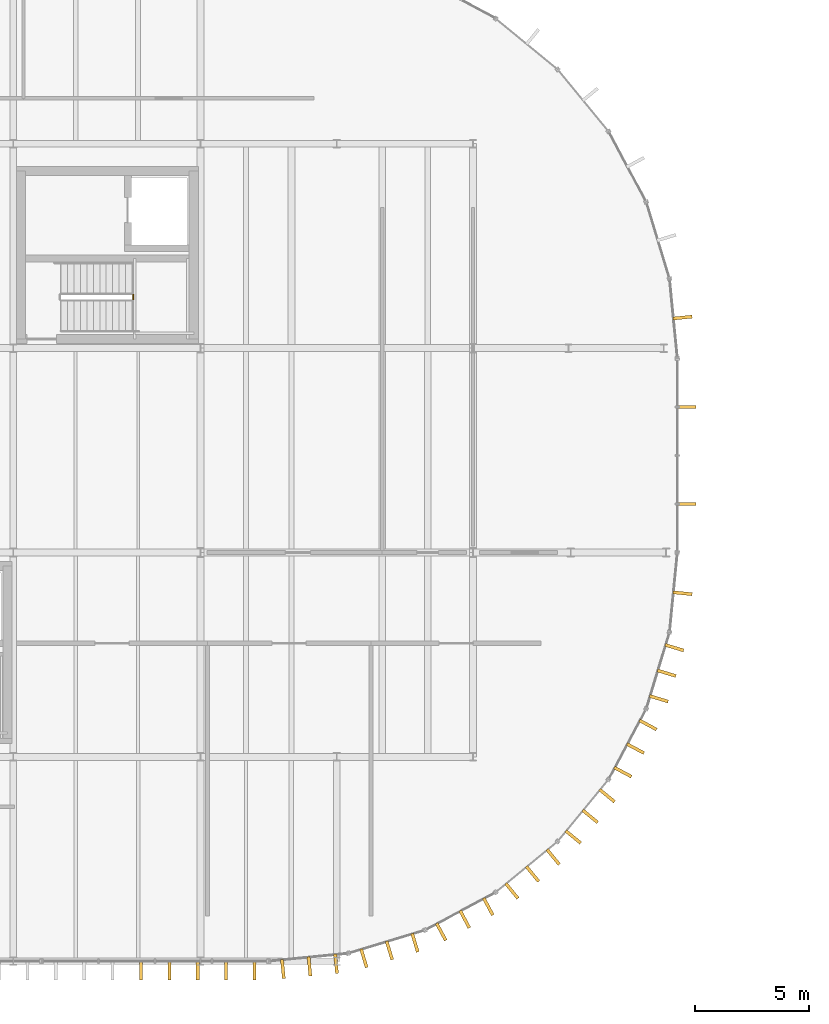
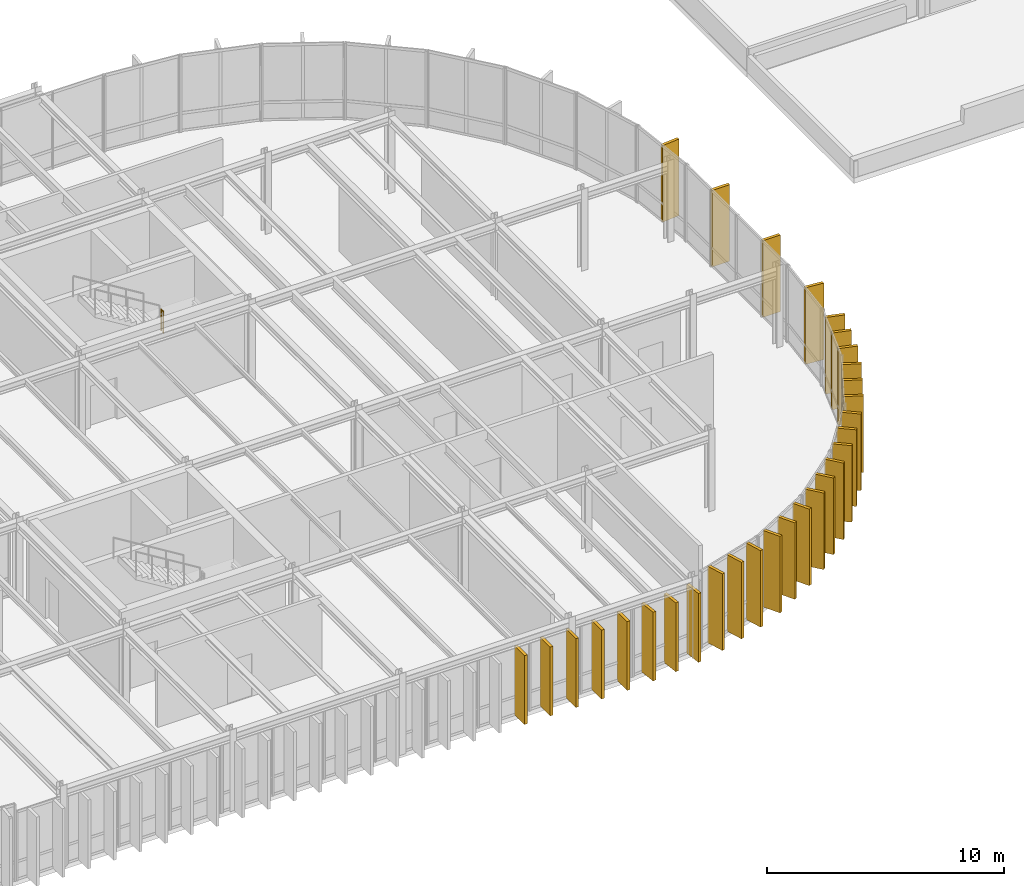
# One storey, part 28 of 31: 30 coverings, 1 railing.
"""IFC4 building model written with IfcOpenShell, lengths in metres."""

from ifc_helpers import new_model, si_unit, direction, frame, origin, origin_2d, place, context, subcontext, project, spatial, rectangle, circle, extrude, material, layer, layer_set, type_object, element, save


model = new_model("IFC4")

# Units and contexts
model_context = context("Model", 3, precision=1e-05, world=origin(), true_north=direction((0.0, 1.0)))
body_context = subcontext(model_context, "Body", "Model", "MODEL_VIEW")
ifc_project = project(units=[si_unit("LENGTHUNIT", "METRE"), si_unit("AREAUNIT", "SQUARE_METRE"), si_unit("VOLUMEUNIT", "CUBIC_METRE"), si_unit("PLANEANGLEUNIT", "RADIAN"), si_unit("MASSUNIT", "GRAM", prefix="KILO")], contexts=[model_context])

# Site, building, storey
site_placement = place(None, origin())
site = spatial("IfcSite", under=ifc_project, at=site_placement, CompositionType="ELEMENT")
building_placement = place(site_placement, origin())
building = spatial("IfcBuilding", under=site, at=building_placement, Name="Montealbar Specialist Clinic", CompositionType="ELEMENT")
storey_placement = place(building_placement, frame((0.0, 0.0, 13.800048828125)))
storey = spatial("IfcBuildingStorey", under=building, at=storey_placement, Name="L03", CompositionType="ELEMENT", Elevation=13.800048828125)

# Coverings
ifc_material_1 = material(Name="Thermally modified timber cladding", Category="wood")
ifc_layer_1 = layer(ifc_material_1, 0.139892578125, Name="Thermally modified timber cladding", Category="wood")
ifc_layer_set_1 = layer_set([ifc_layer_1], Name="Thermally modified timber cladding")
covering_type = type_object("IfcCoveringType", Name="COV-FIN-TIMBER-850", PredefinedType="CLADDING", material=ifc_layer_set_1)
for number, where, z_axis, x_axis, name in (
    (1, (120.22509765625, 28.344970703125, 0.0), (0.0, 0.0, 1.0), (0.995182012183, 0.098044697094, 0.0), "Vertical Timber Solar Fin CF-L03-0195"),
    (2, (120.39990234375, 24.4130859375, 0.0), (0.0, 0.0, 1.0), (1.0, 0.0, 0.0), "Vertical Timber Solar Fin CF-L03-0196"),
    (3, (120.39990234375, 20.136962890625, 0.0), (0.0, 0.0, 1.0), (1.0, 0.0, 0.0), "Vertical Timber Solar Fin CF-L03-0197"),
    (4, (120.22509765625, 16.205078125, 0.0), (0.0, 0.0, 1.0), (0.995182012183, -0.098044697094, 0.0), "Vertical Timber Solar Fin CF-L03-0198"),
    (5, (119.865966796875, 13.80908203125, 0.0), (0.0, 0.0, 1.0), (0.956948083701, -0.290259134399, 0.0), "Vertical Timber Solar Fin CF-L03-0199"),
    (6, (119.52490234375, 12.68408203125, 0.0), (0.0, 0.0, 1.0), (0.956948083701, -0.290259134399, 0.0), "Vertical Timber Solar Fin CF-L03-0200"),
    (7, (119.18310546875, 11.55908203125, 0.0), (0.0, 0.0, 1.0), (0.956948083701, -0.290259134399, 0.0), "Vertical Timber Solar Fin CF-L03-0201"),
    (8, (118.705078125, 10.405029296875, 0.0), (0.0, 0.0, 1.0), (0.881850411644, -0.471529268958, 0.0), "Vertical Timber Solar Fin CF-L03-0202"),
    (9, (118.15087890625, 9.366943359375, 0.0), (0.0, 0.0, 1.0), (0.881850411644, -0.471529268958, 0.0), "Vertical Timber Solar Fin CF-L03-0203"),
    (10, (117.595947265625, 8.330078125, 0.0), (0.0, 0.0, 1.0), (0.881850411644, -0.471529268958, 0.0), "Vertical Timber Solar Fin CF-L03-0204"),
    (11, (116.902099609375, 7.2919921875, 0.0), (0.0, 0.0, 1.0), (0.773123255923, -0.634255808922, 0.0), "Vertical Timber Solar Fin CF-L03-0205"),
    (12, (116.156005859375, 6.382080078125, 0.0), (0.0, 0.0, 1.0), (0.773123255923, -0.634255808922, 0.0), "Vertical Timber Solar Fin CF-L03-0206"),
    (13, (115.409912109375, 5.472900390625, 0.0), (0.0, 0.0, 1.0), (0.773123255923, -0.634255808922, 0.0), "Vertical Timber Solar Fin CF-L03-0207"),
    (14, (114.527099609375, 4.590087890625, 0.0), (0.0, 0.0, 1.0), (0.634255808922, -0.773123255923, 0.0), "Vertical Timber Solar Fin CF-L03-0208"),
    (15, (113.617919921875, 3.843994140625, 0.0), (0.0, 0.0, 1.0), (0.634255808922, -0.773123255923, 0.0), "Vertical Timber Solar Fin CF-L03-0209"),
    (16, (112.7080078125, 3.097900390625, 0.0), (0.0, 0.0, 1.0), (0.634255808922, -0.773123255923, 0.0), "Vertical Timber Solar Fin CF-L03-0210"),
    (17, (111.669921875, 2.404052734375, 0.0), (0.0, 0.0, 1.0), (0.471529268958, -0.881850411644, 0.0), "Vertical Timber Solar Fin CF-L03-0211"),
    (18, (110.633056640625, 1.84912109375, 0.0), (0.0, 0.0, 1.0), (0.471529268958, -0.881850411644, 0.0), "Vertical Timber Solar Fin CF-L03-0212"),
    (19, (109.594970703125, 1.294921875, 0.0), (0.0, 0.0, 1.0), (0.471529268958, -0.881850411644, 0.0), "Vertical Timber Solar Fin CF-L03-0213"),
    (20, (108.44091796875, 0.81689453125, 0.0), (0.0, 0.0, 1.0), (0.290259134399, -0.956948083701, 0.0), "Vertical Timber Solar Fin CF-L03-0214"),
    (21, (107.31591796875, 0.47509765625, 0.0), (0.0, 0.0, 1.0), (0.290259134399, -0.956948083701, 0.0), "Vertical Timber Solar Fin CF-L03-0215"),
    (22, (106.19091796875, 0.134033203125, 0.0), (0.0, 0.0, 1.0), (0.290259134399, -0.956948083701, 0.0), "Vertical Timber Solar Fin CF-L03-0216"),
):
    element("IfcCovering", number, at=place(storey_placement, frame(where, z_axis=z_axis, x_axis=x_axis)), inside=storey, type_object=covering_type, Name=name, PredefinedType="CLADDING", context=body_context, shape_type="SweptSolid", body=[
        extrude(rectangle(XDim=0.85009765625, YDim=0.139892578125, at=origin_2d()), origin(), (0.0, 0.0, 1.0), 3.93994140625),
    ])
for number, where, z_axis, x_axis, name in (
    (23, (104.966064453125, -0.110107421875, 0.0), (0.0, 0.0, 1.0), (0.098044697094, -0.995182012183, 0.0), "Vertical Timber Solar Fin CF-L03-0217"),
    (24, (103.794921875, -0.22509765625, 0.0), (0.0, 0.0, 1.0), (0.098044697094, -0.995182012183, 0.0), "Vertical Timber Solar Fin CF-L03-0218"),
    (25, (102.625, -0.340087890625, 0.0), (0.0, 0.0, 1.0), (0.098044697094, -0.995182012183, 0.0), "Vertical Timber Solar Fin CF-L03-0219"),
    (26, (101.375, -0.39990234375, 0.0), (0.0, 0.0, 1.0), (0.0, -1.0, 0.0), "Vertical Timber Solar Fin CF-L03-0220"),
    (27, (100.125, -0.39990234375, 0.0), (0.0, 0.0, 1.0), (0.0, -1.0, 0.0), "Vertical Timber Solar Fin CF-L03-0221"),
    (28, (98.875, -0.39990234375, 0.0), (0.0, 0.0, 1.0), (0.0, -1.0, 0.0), "Vertical Timber Solar Fin CF-L03-0222"),
    (29, (97.625, -0.39990234375, 0.0), (0.0, 0.0, 1.0), (0.0, -1.0, 0.0), "Vertical Timber Solar Fin CF-L03-0223"),
    (30, (96.375, -0.39990234375, 0.0), (0.0, 0.0, 1.0), (0.0, -1.0, 0.0), "Vertical Timber Solar Fin CF-L03-0224"),
):
    element("IfcCovering", number, at=place(storey_placement, frame(where, z_axis=z_axis, x_axis=x_axis)), inside=storey, type_object=covering_type, Name=name, PredefinedType="CLADDING", context=body_context, shape_type="SweptSolid", body=[
        extrude(rectangle(XDim=0.85009765625, YDim=0.139892578125, at=origin_2d()), origin(), (0.0, 0.0, 1.0), 3.5400390625),
    ])

# Railing
ifc_material_2 = material(Name="Steel S355", Category="steel")
ifc_layer_2 = layer(ifc_material_2, 0.050048828125, Name="Steel S355", Category="steel")
ifc_layer_set_2 = layer_set([ifc_layer_2], Name="Steel S355")
railing_type = type_object("IfcRailingType", Name="RAIL-STAIR-BAL-1100", PredefinedType="BALUSTRADE", material=ifc_layer_set_2)
railing_placement = place(storey_placement, frame((96.034912109375, 29.14990234375, 2.099853515625)))
element("IfcRailing", 31, at=railing_placement, inside=storey, type_object=railing_type, Name="L03 ST-05 stair guard 2", PredefinedType="BALUSTRADE", context=body_context, shape_type="SweptSolid", body=[
    extrude(circle(Radius=0.02392578125, at=origin_2d()), frame((0.0, 0.0, 1.076171875), z_axis=(0.0, 1.0, 0.0), x_axis=(-1.0, 0.0, 0.0)), (0.0, 0.0, 1.0), 0.2001953125),
    extrude(circle(Radius=0.02099609375, at=origin_2d()), frame((0.0, 0.0, -0.02490234375)), (0.0, 0.0, 1.0), 1.076904296875),
    extrude(circle(Radius=0.02099609375, at=origin_2d()), frame((0.0, 0.2001953125, -0.02490234375)), (0.0, 0.0, 1.0), 1.076904296875),
])

save(model, "model.ifc")
